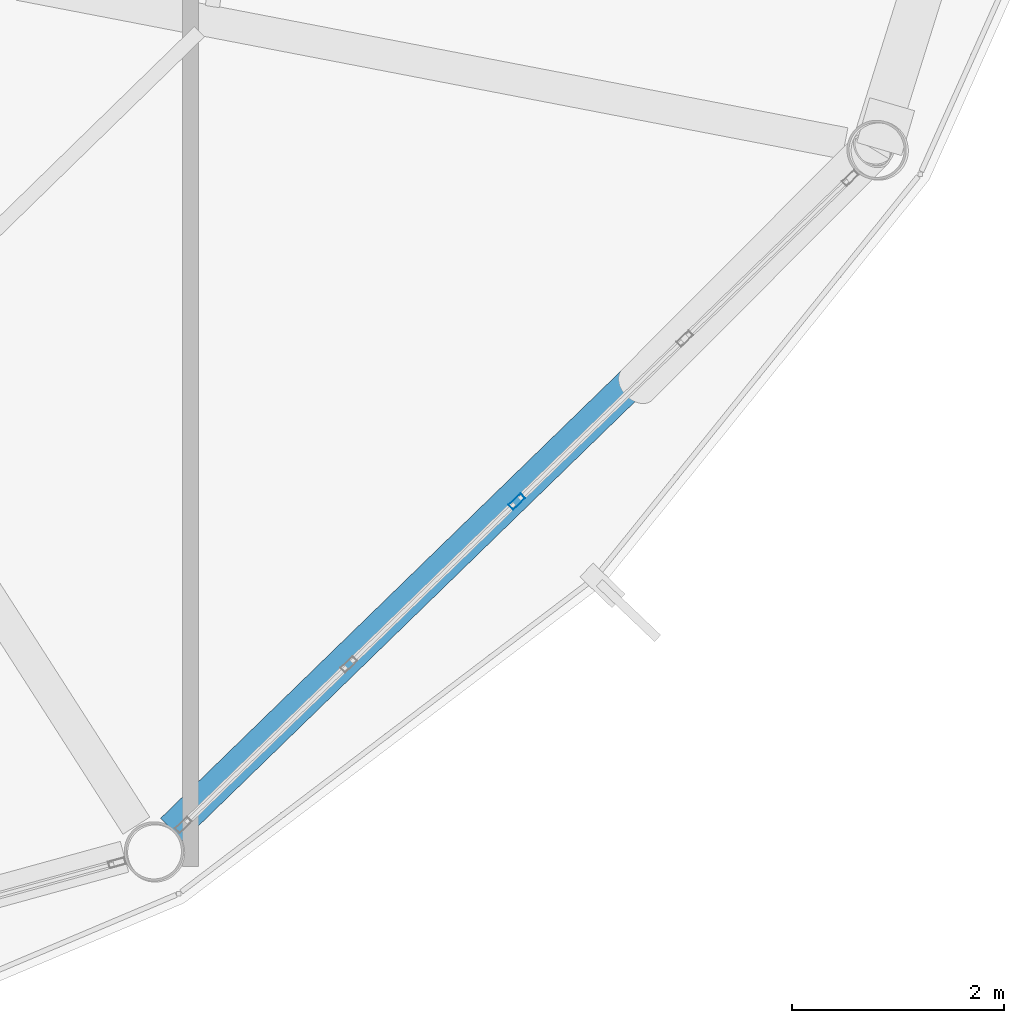
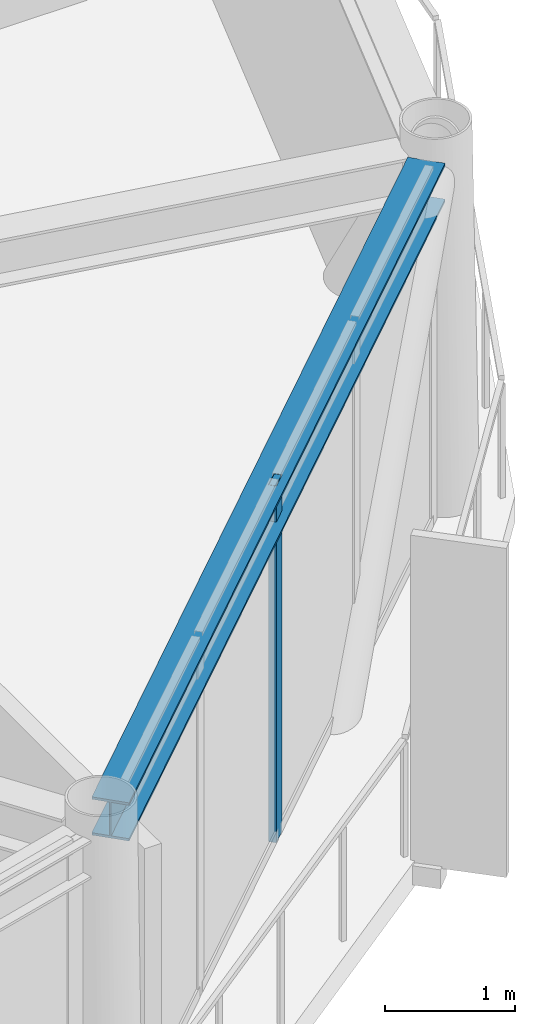
# One storey, part 9 of 27: 1 beam, 1 member, 1 element without a shape of its own.
"""IFC4 building model written with IfcOpenShell, lengths in metres."""

from ifc_helpers import new_model, si_unit, direction, frame, origin, origin_2d, place, context, subcontext, project, spatial, hollow_rectangle, i_section, extrude, material, layer, layer_set, material_profile, profile_set, type_object, element, aggregate, save


model = new_model("IFC4")

# Units and contexts
model_context = context("Model", 3, precision=1e-05, world=origin(), true_north=direction((0.0, 1.0)))
body_context = subcontext(model_context, "Body", "Model", "MODEL_VIEW")
ifc_project = project(units=[si_unit("LENGTHUNIT", "METRE"), si_unit("AREAUNIT", "SQUARE_METRE"), si_unit("VOLUMEUNIT", "CUBIC_METRE"), si_unit("PLANEANGLEUNIT", "RADIAN"), si_unit("MASSUNIT", "GRAM", prefix="KILO")], contexts=[model_context])

# Site, building, storey
site_placement = place(None, origin())
site = spatial("IfcSite", under=ifc_project, at=site_placement, CompositionType="ELEMENT")
building_placement = place(site_placement, origin())
building = spatial("IfcBuilding", under=site, at=building_placement, Name="Varnakorn Sky Granary", CompositionType="ELEMENT")
storey_placement = place(building_placement, frame((0.0, 0.0, 232.800048828125)))
storey = spatial("IfcBuildingStorey", under=building, at=storey_placement, Name="L59", CompositionType="ELEMENT", Elevation=232.800048828125)

# Beam
ifc_material_1 = material(Name="Steel S355JR", Category="steel")
ifc_material_profile_1 = material_profile(ifc_material_1, i_section(OverallWidth=0.300048828125, OverallDepth=0.360107421875, WebThickness=0.012451171875, FlangeThickness=0.0224609375, at=origin_2d()), Name="HE 360 B")
ifc_profile_set_1 = profile_set([ifc_material_profile_1], Name="Steel S355JR")
beam_type = type_object("IfcBeamType", Name="BM-SPD-Z5", PredefinedType="SPANDREL", material=ifc_profile_set_1)
beam_placement = place(storey_placement, frame((14.3212890625, -15.43798828125, 3.179931640625), z_axis=(0.717146468568, 0.696922479635, 0.0), x_axis=(-0.696922479635, 0.717146468568, 0.0)))
element("IfcBeam", 1, at=beam_placement, inside=storey, type_object=beam_type, Name="Perimeter Spandrel Ring Beam RB11 L59", PredefinedType="SPANDREL", context=body_context, shape_type="SweptSolid", body=[
    extrude(i_section(OverallWidth=0.300048828125, OverallDepth=0.360107421875, WebThickness=0.012451171875, FlangeThickness=0.0224609375, at=origin_2d()), origin(), (0.0, 0.0, 1.0), 8.9453125),
])

# Curtain wall, member
ifc_material_2 = material(Name="Anodised Bronze Aluminium Alloy 6063-T6", Category="aluminium")
ifc_layer = layer(ifc_material_2, 0.169921875, Name="Anodised Bronze Aluminium Alloy 6063-T6")
ifc_layer_set = layer_set([ifc_layer], Name="Anodised Bronze Aluminium Alloy 6063-T6")
curtain_wall_type = type_object("IfcCurtainWallType", Name="CW-LAB-1", PredefinedType="USERDEFINED", material=ifc_layer_set)
curtain_wall_placement = place(storey_placement, origin())
curtain_wall = element("IfcCurtainWall", 2, at=curtain_wall_placement, inside=storey, type_object=curtain_wall_type, Name="Unitised Curtain Wall CW5 CW-L59-B11", ObjectType="CURTAIN WALL", PredefinedType="USERDEFINED")
ifc_material_profile_2 = material_profile(ifc_material_2, hollow_rectangle(XDim=0.06494140625, YDim=0.159912109375, WallThickness=0.00341796875, at=origin_2d()), Name="ALU MULL 65x160")
ifc_profile_set_2 = profile_set([ifc_material_profile_2], Name="Anodised Bronze Aluminium Alloy 6063-T6")
member_type = type_object("IfcMemberType", Name="CW-LAB-1-MULL", PredefinedType="MULLION", material=ifc_profile_set_2)
member_placement = place(storey_placement, frame((17.5751953125, -12.343994140625, 0.0), z_axis=(0.0, 0.0, 1.0), x_axis=(0.696278954574, -0.717771284893, 0.0)))
member = element("IfcMember", 3, at=member_placement, type_object=member_type, Name="CW5 mullion 3", PredefinedType="MULLION", context=body_context, shape_type="SweptSolid", body=[
    extrude(hollow_rectangle(XDim=0.06494140625, YDim=0.159912109375, WallThickness=0.00341796875, at=origin_2d()), origin(), (0.0, 0.0, 1.0), 3.35986328125),
])
aggregate(curtain_wall, [member])

save(model, "model.ifc")
